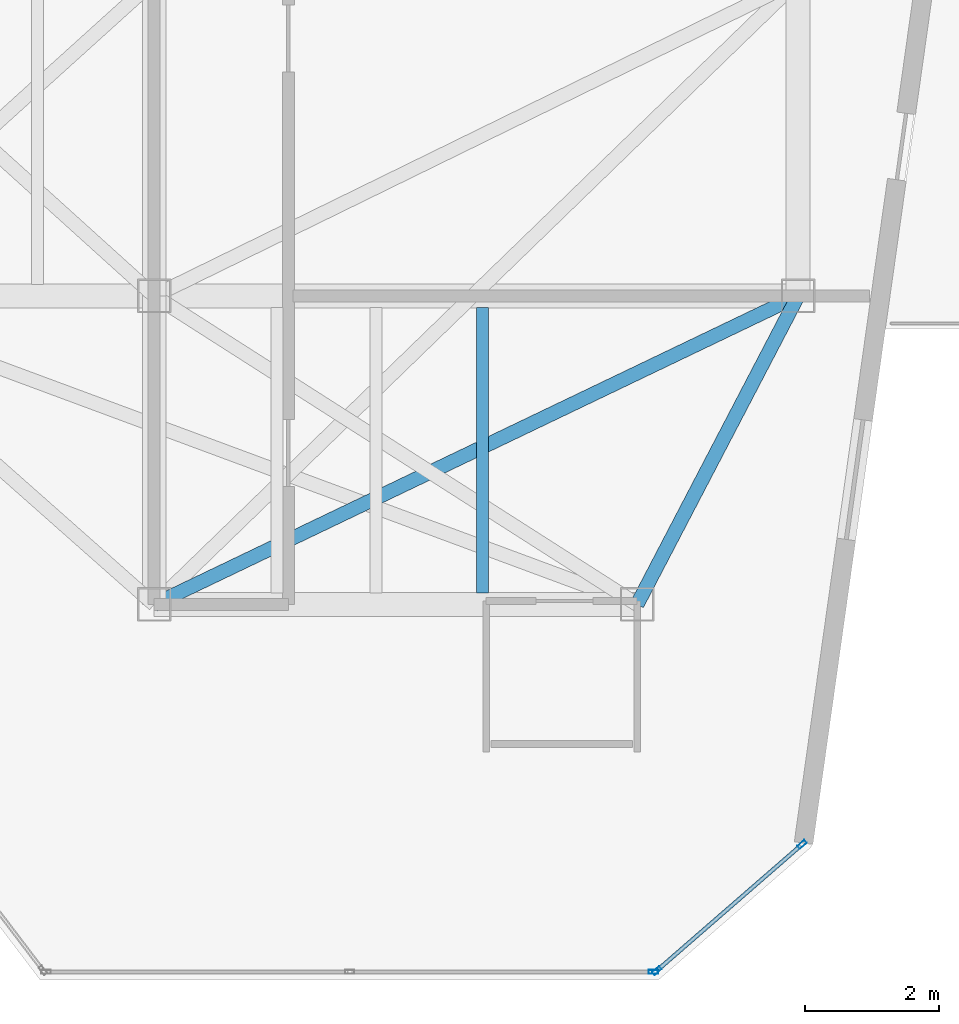
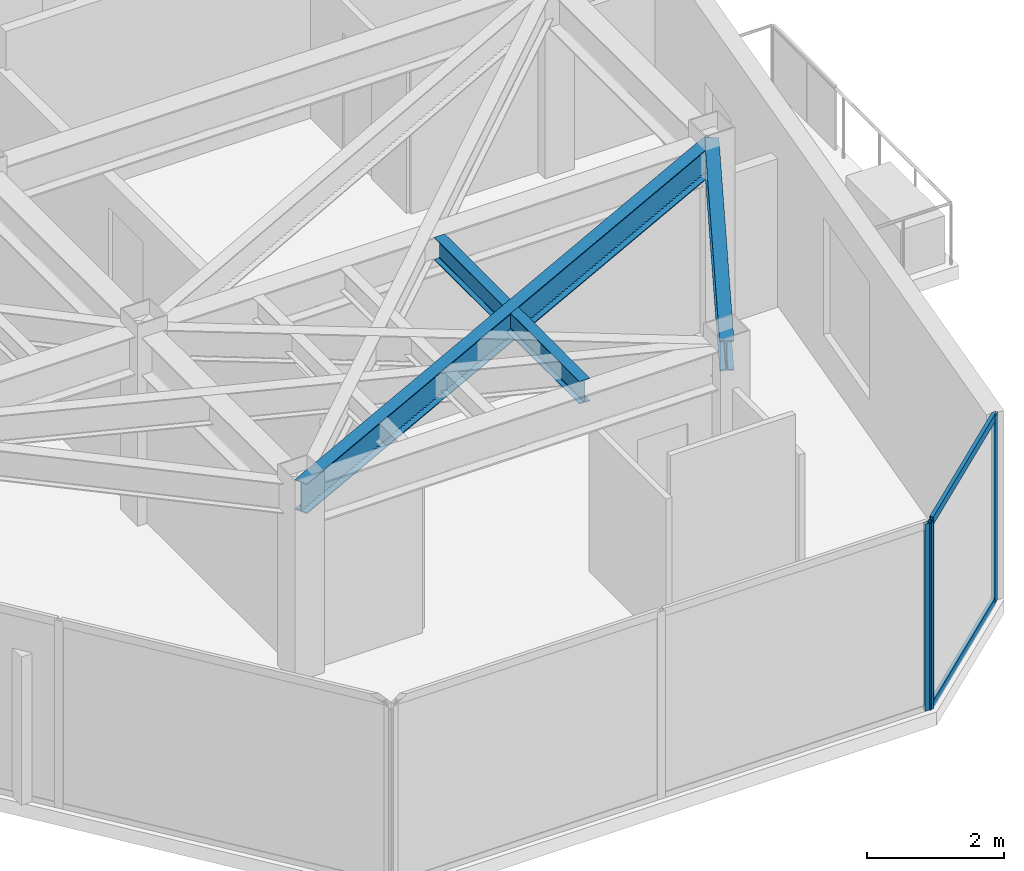
# One storey, part 14 of 20: 5 members, 3 beams, 2 elements without a shape of their own.
"""IFC4 building model written with IfcOpenShell, lengths in metres."""

from ifc_helpers import new_model, si_unit, direction, frame, origin, origin_2d, place, context, subcontext, project, spatial, hollow_rectangle, i_section, extrude, material, layer, layer_set, material_profile, profile_set, type_object, element, aggregate, save


model = new_model("IFC4")

# Units and contexts
model_context = context("Model", 3, precision=1e-05, world=origin(), true_north=direction((0.0, 1.0)))
body_context = subcontext(model_context, "Body", "Model", "MODEL_VIEW")
ifc_project = project(units=[si_unit("LENGTHUNIT", "METRE"), si_unit("AREAUNIT", "SQUARE_METRE"), si_unit("VOLUMEUNIT", "CUBIC_METRE"), si_unit("PLANEANGLEUNIT", "RADIAN"), si_unit("MASSUNIT", "GRAM", prefix="KILO")], contexts=[model_context])

# Site, building, storey
site_placement = place(None, origin())
site = spatial("IfcSite", under=ifc_project, at=site_placement, CompositionType="ELEMENT")
building_placement = place(site_placement, origin())
building = spatial("IfcBuilding", under=site, at=building_placement, Name="Kravanh Interchange Tower", CompositionType="ELEMENT")
storey_placement = place(building_placement, frame((0.0, 0.0, 241.800048828125)))
storey = spatial("IfcBuildingStorey", under=building, at=storey_placement, Name="L58", CompositionType="ELEMENT", Elevation=241.800048828125)

# Curtain wall, members
ifc_material_1 = material(Name="Anodised Bronze Aluminium", Category="aluminium")
ifc_layer = layer(ifc_material_1, 0.179931640625)
ifc_layer_set = layer_set([ifc_layer], Name="Unitised Curtain Wall System CW-HTL Luxury Hotel")
curtain_wall_type = type_object("IfcCurtainWallType", Name="Unitised Curtain Wall System CW-HTL Luxury Hotel", PredefinedType="NOTDEFINED", material=ifc_layer_set)
curtain_wall_1_placement = place(storey_placement, origin())
curtain_wall_1 = element("IfcCurtainWall", 1, at=curtain_wall_1_placement, inside=storey, type_object=curtain_wall_type, Name="L58 Unitised Curtain Wall CW-L58-02", PredefinedType="NOTDEFINED")
ifc_material_2 = material(Name="Anodised Bronze Aluminium", Category="aluminium")
ifc_material_profile_1 = material_profile(ifc_material_2, hollow_rectangle(XDim=0.06005859375, YDim=0.139892578125, WallThickness=0.00390625, at=origin_2d()), Name="ALU60X140X4")
ifc_profile_set_1 = profile_set([ifc_material_profile_1], Name="Anodised Bronze Aluminium")
member_type_1 = type_object("IfcMemberType", Name="Curtain Wall Mullion ALU60X140X4 Bronze", PredefinedType="MULLION", material=ifc_profile_set_1)
member_1_placement = place(storey_placement, frame((65.659912109375, 18.621826171875, 0.0), z_axis=(0.0, 0.0, 1.0), x_axis=(0.656033323139, -0.75473192521, 0.0)))
member_1 = element("IfcMember", 2, at=member_1_placement, type_object=member_type_1, Name="CW-HTL mullion 1", PredefinedType="MULLION", context=body_context, shape_type="SweptSolid", body=[
    extrude(hollow_rectangle(XDim=0.06005859375, YDim=0.139892578125, WallThickness=0.00390625, at=origin_2d()), origin(), (0.0, 0.0, 1.0), 3.349853515625),
])
member_2_placement = place(storey_placement, frame((63.494384765625, 16.73974609375, 0.0), z_axis=(0.0, 0.0, 1.0), x_axis=(0.656033323139, -0.75473192521, 0.0)))
member_2 = element("IfcMember", 3, at=member_2_placement, type_object=member_type_1, Name="CW-HTL mullion 2", PredefinedType="MULLION", context=body_context, shape_type="SweptSolid", body=[
    extrude(hollow_rectangle(XDim=0.06005859375, YDim=0.139892578125, WallThickness=0.00390625, at=origin_2d()), origin(), (0.0, 0.0, 1.0), 3.349853515625),
])

# Curtain wall, member
curtain_wall_2_placement = place(storey_placement, origin())
curtain_wall_2 = element("IfcCurtainWall", 4, at=curtain_wall_2_placement, inside=storey, type_object=curtain_wall_type, Name="L58 Unitised Curtain Wall CW-L58-03", PredefinedType="NOTDEFINED")
member_3_placement = place(storey_placement, frame((63.44189453125, 16.719970703125, 0.0), z_axis=(0.0, 0.0, 1.0), x_axis=(0.0, -1.0, 0.0)))
member_3 = element("IfcMember", 5, at=member_3_placement, type_object=member_type_1, Name="CW-HTL mullion 1", PredefinedType="MULLION", context=body_context, shape_type="SweptSolid", body=[
    extrude(hollow_rectangle(XDim=0.06005859375, YDim=0.139892578125, WallThickness=0.00390625, at=origin_2d()), origin(), (0.0, 0.0, 1.0), 3.349853515625),
])
aggregate(curtain_wall_2, [member_3])

# Member
ifc_material_3 = material(Name="Anodised Bronze Aluminium", Category="aluminium")
ifc_material_profile_2 = material_profile(ifc_material_3, hollow_rectangle(XDim=0.06005859375, YDim=0.139892578125, WallThickness=0.00390625, at=origin_2d()), Name="ALU60X140X4")
ifc_profile_set_2 = profile_set([ifc_material_profile_2], Name="Anodised Bronze Aluminium")
member_type_2 = type_object("IfcMemberType", Name="Curtain Wall Transom ALU60X140X4 Bronze", PredefinedType="USERDEFINED", material=ifc_profile_set_2)
member_4_placement = place(storey_placement, frame((65.63720703125, 18.602294921875, 0.030029296875), z_axis=(-0.754704676026, -0.656064670581, 0.0), x_axis=(0.656064670581, -0.754704676026, 0.0)))
member_4 = element("IfcMember", 6, at=member_4_placement, type_object=member_type_2, Name="CW-HTL transom 1.1", ObjectType="TRANSOM", PredefinedType="USERDEFINED", context=body_context, shape_type="SweptSolid", body=[
    extrude(hollow_rectangle(XDim=0.06005859375, YDim=0.139892578125, WallThickness=0.00390625, at=origin_2d()), origin(), (0.0, 0.0, 1.0), 2.80908203125),
])

member_5_placement = place(storey_placement, frame((65.63720703125, 18.602294921875, 3.320068359375), z_axis=(-0.754704676026, -0.656064670581, 0.0), x_axis=(0.656064670581, -0.754704676026, 0.0)))
member_5 = element("IfcMember", 7, at=member_5_placement, type_object=member_type_2, Name="CW-HTL transom 1.2", ObjectType="TRANSOM", PredefinedType="USERDEFINED", context=body_context, shape_type="SweptSolid", body=[
    extrude(hollow_rectangle(XDim=0.06005859375, YDim=0.139892578125, WallThickness=0.00390625, at=origin_2d()), origin(), (0.0, 0.0, 1.0), 2.80908203125),
])

aggregate(curtain_wall_1, [member_1, member_2, member_4, member_5])

# Beams
ifc_material_4 = material(Name="Structural Steel S355", Category="steel")
ifc_material_profile_3 = material_profile(ifc_material_4, i_section(OverallWidth=0.177978515625, OverallDepth=0.406005859375, WebThickness=0.0078125, FlangeThickness=0.0126953125, FilletRadius=0.01611328125, at=origin_2d()), Name="W16X40")
ifc_profile_set_3 = profile_set([ifc_material_profile_3], Name="Structural Steel S355")
beam_type_1 = type_object("IfcBeamType", Name="Floor Joist W16X40 Structural Steel S355", PredefinedType="JOIST", material=ifc_profile_set_3)
beam_1_placement = place(storey_placement, frame((60.89794921875, 22.37255859375, 3.14697265625), z_axis=(0.0, 1.0, 0.0), x_axis=(-1.0, 0.0, 0.0)))
element("IfcBeam", 8, at=beam_1_placement, inside=storey, type_object=beam_type_1, Name="L58 Secondary Floor Joist 3", PredefinedType="JOIST", context=body_context, shape_type="SweptSolid", body=[
    extrude(i_section(OverallWidth=0.177978515625, OverallDepth=0.406005859375, WebThickness=0.0078125, FlangeThickness=0.0126953125, FilletRadius=0.01611328125, at=origin_2d()), origin(), (0.0, 0.0, 1.0), 4.2548828125),
])
ifc_material_5 = material(Name="Structural Steel S355", Category="steel")
ifc_material_profile_4 = material_profile(ifc_material_5, i_section(OverallWidth=0.2099609375, OverallDepth=0.537109375, WebThickness=0.010986328125, FlangeThickness=0.017333984375, FilletRadius=0.02001953125, at=origin_2d()), Name="W21X68")
ifc_profile_set_4 = profile_set([ifc_material_profile_4], Name="Structural Steel S355")
beam_type_2 = type_object("IfcBeamType", Name="Floor Spandrel W21X68 Structural Steel S355", PredefinedType="SPANDREL", material=ifc_profile_set_4)
beam_2_placement = place(storey_placement, frame((65.60009765625, 26.800048828125, 3.08154296875), z_axis=(-0.462580479178, -0.886577295155, 0.0), x_axis=(0.886577295155, -0.462580479178, 0.0)))
element("IfcBeam", 9, at=beam_2_placement, inside=storey, type_object=beam_type_2, Name="L58 Perimeter Spandrel 37", PredefinedType="SPANDREL", context=body_context, shape_type="SweptSolid", body=[
    extrude(i_section(OverallWidth=0.2099609375, OverallDepth=0.537109375, WebThickness=0.010986328125, FlangeThickness=0.017333984375, FilletRadius=0.02001953125, at=origin_2d()), origin(), (0.0, 0.0, 1.0), 5.188720703125),
])
beam_3_placement = place(storey_placement, frame((65.60009765625, 26.800048828125, 3.08154296875), z_axis=(-0.901814166789, -0.432124066188, 0.0), x_axis=(0.432124066188, -0.901814166789, 0.0)))
element("IfcBeam", 10, at=beam_3_placement, inside=storey, type_object=beam_type_2, Name="L58 Perimeter Spandrel 38", PredefinedType="SPANDREL", context=body_context, shape_type="SweptSolid", body=[
    extrude(i_section(OverallWidth=0.2099609375, OverallDepth=0.537109375, WebThickness=0.010986328125, FlangeThickness=0.017333984375, FilletRadius=0.02001953125, at=origin_2d()), origin(), (0.0, 0.0, 1.0), 10.645263671875),
])

save(model, "model.ifc")
